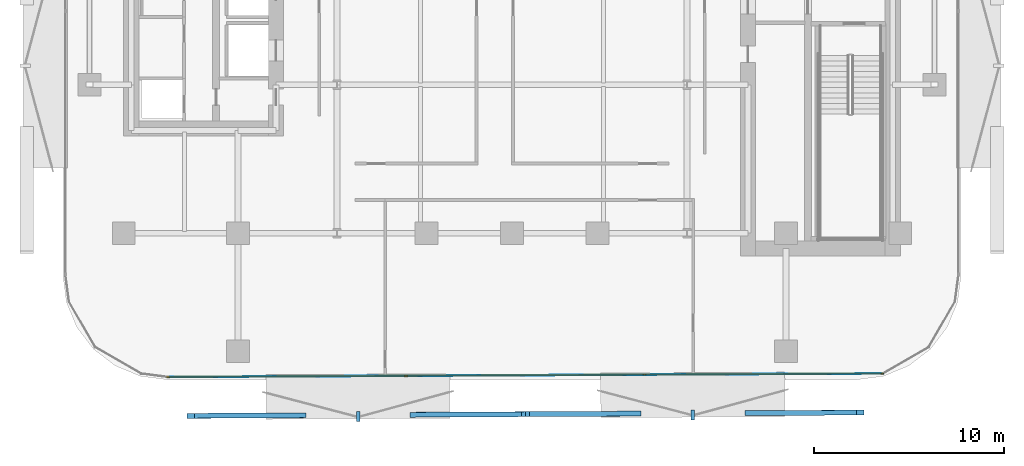
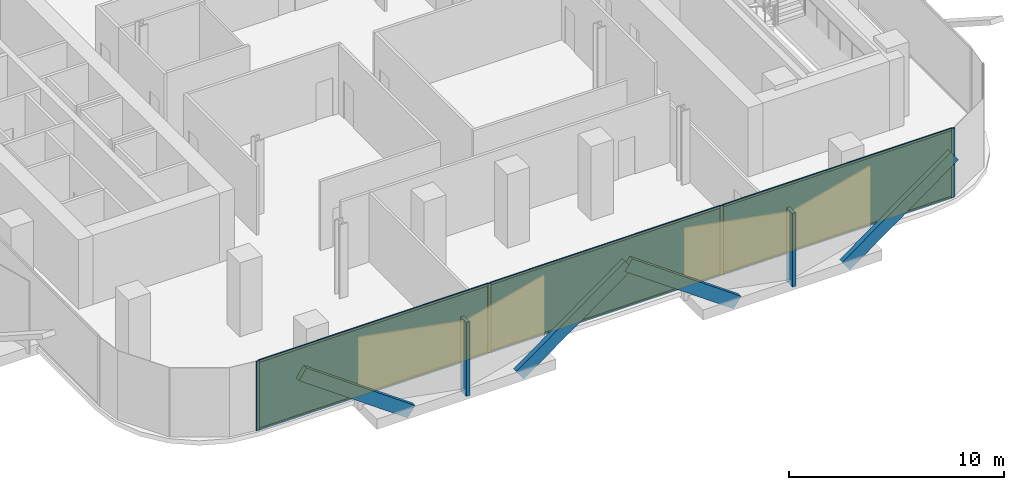
# One storey, part 7 of 15: 16 members, 3 plates, 1 curtain wall.
"""IFC4 building model written with IfcOpenShell, lengths in metres."""

from ifc_helpers import new_model, si_unit, direction, frame, frame_2d, origin, origin_2d, place, context, subcontext, project, spatial, rectangle, extrude, material, layer, layer_set, material_profile, profile_set, type_object, element, aggregate, save


model = new_model("IFC4")

# Units and contexts
model_context = context("Model", 3, precision=1e-05, world=origin(), true_north=direction((0.0, 1.0)))
body_context = subcontext(model_context, "Body", "Model", "MODEL_VIEW")
ifc_project = project(units=[si_unit("LENGTHUNIT", "METRE"), si_unit("AREAUNIT", "SQUARE_METRE"), si_unit("VOLUMEUNIT", "CUBIC_METRE"), si_unit("PLANEANGLEUNIT", "RADIAN"), si_unit("MASSUNIT", "GRAM", prefix="KILO")], contexts=[model_context])

# Member
ifc_material_1 = material(Name="Anodised Bronze Aluminium 6063-T6", Category="aluminium")
ifc_material_profile_1 = material_profile(ifc_material_1, rectangle(XDim=0.260009765625, YDim=0.699951171875, at=origin_2d()))
ifc_profile_set_1 = profile_set([ifc_material_profile_1], Name="Anodised Bronze Aluminium 6063-T6")
member_type_1 = type_object("IfcMemberType", Name="Bronze Diamond Solar-Screen Lattice Rib BDL-700", PredefinedType="MULLION", material=ifc_profile_set_1)
site_placement = place(None, origin())
building_placement = place(site_placement, origin())
storey_placement = place(building_placement, frame((0.0, 0.0, 126.800048828125)))
member_1_placement = place(storey_placement, frame((6.571044921875, -28.079345703125, -0.130126953125), z_axis=(-0.812918815383, -0.003994354371, 0.582363327081), x_axis=(-0.0077593961, 0.99996200398, -0.00397270291)))
member_1 = element("IfcMember", 1, at=member_1_placement, type_object=member_type_1, Name="L29 Bronze Diamond Solar Screen Lattice Rib 177A", PredefinedType="MULLION", context=body_context, shape_type="SweptSolid", body=[
    extrude(rectangle(XDim=0.260009765625, YDim=0.699951171875, at=origin_2d()), origin(), (0.0, 0.0, 1.0), 7.21240234375),
])

member_2_placement = place(storey_placement, frame((12.43408203125, -28.05078125, -0.130126953125), z_axis=(0.812918815383, 0.003994354371, 0.582363327081), x_axis=(0.0077593961, -0.99996200398, -0.00397270291)))
member_2 = element("IfcMember", 2, at=member_2_placement, type_object=member_type_1, Name="L29 Bronze Diamond Solar Screen Lattice Rib 177B", PredefinedType="MULLION", context=body_context, shape_type="SweptSolid", body=[
    extrude(rectangle(XDim=0.260009765625, YDim=0.699951171875, at=origin_2d()), origin(), (0.0, 0.0, 1.0), 7.21240234375),
])

member_3_placement = place(storey_placement, frame((-11.017822265625, -28.165283203125, -0.130126953125), z_axis=(-0.812918815383, -0.003994354371, 0.582363327081), x_axis=(-0.0077593961, 0.99996200398, -0.00397270291)))
member_3 = element("IfcMember", 3, at=member_3_placement, type_object=member_type_1, Name="L29 Bronze Diamond Solar Screen Lattice Rib 178A", PredefinedType="MULLION", context=body_context, shape_type="SweptSolid", body=[
    extrude(rectangle(XDim=0.260009765625, YDim=0.699951171875, at=origin_2d()), origin(), (0.0, 0.0, 1.0), 7.21240234375),
])

member_4_placement = place(storey_placement, frame((-5.15478515625, -28.13671875, -0.130126953125), z_axis=(0.81290744354, 0.003960613429, 0.582379431109), x_axis=(0.007718039596, -0.999962324262, -0.003972646531)))
member_4 = element("IfcMember", 4, at=member_4_placement, type_object=member_type_1, Name="L29 Bronze Diamond Solar Screen Lattice Rib 178B", PredefinedType="MULLION", context=body_context, shape_type="SweptSolid", body=[
    extrude(rectangle(XDim=0.260009765625, YDim=0.699951171875, at=origin_2d()), origin(), (0.0, 0.0, 1.0), 7.212158203125),
])

ifc_material_2 = material(Name="Anodised Bronze Aluminium 6063-T6", Category="aluminium")
ifc_material_profile_2 = material_profile(ifc_material_2, rectangle(XDim=0.179931640625, YDim=0.5400390625, at=origin_2d()))
ifc_profile_set_2 = profile_set([ifc_material_profile_2], Name="Anodised Bronze Aluminium 6063-T6")
member_type_2 = type_object("IfcMemberType", Name="Bronze Solar-Screen Vertical Fold Fin BSF-540", PredefinedType="MULLION", material=ifc_profile_set_2)
member_5_placement = place(storey_placement, frame((9.5029296875, -28.14501953125, -0.130126953125), z_axis=(0.0, 0.0, 1.0), x_axis=(-0.999988059021, -0.004886902454, 0.0)))
member_5 = element("IfcMember", 5, at=member_5_placement, type_object=member_type_2, Name="L29 Bronze Solar Screen Vertical Fin 177", PredefinedType="MULLION", context=body_context, shape_type="SweptSolid", body=[
    extrude(rectangle(XDim=0.179931640625, YDim=0.5400390625, at=origin_2d()), origin(), (0.0, 0.0, 1.0), 4.2001953125),
])

member_6_placement = place(storey_placement, frame((-8.0859375, -28.231201171875, -0.130126953125), z_axis=(0.0, 0.0, 1.0), x_axis=(-0.999988059021, -0.004886902454, 0.0)))
member_6 = element("IfcMember", 6, at=member_6_placement, type_object=member_type_2, Name="L29 Bronze Solar Screen Vertical Fin 178", PredefinedType="MULLION", context=body_context, shape_type="SweptSolid", body=[
    extrude(rectangle(XDim=0.179931640625, YDim=0.5400390625, at=origin_2d()), origin(), (0.0, 0.0, 1.0), 4.2001953125),
])

ifc_material_3 = material(Name="Anodised Bronze Aluminium 6063-T6", Category="aluminium")
ifc_material_profile_3 = material_profile(ifc_material_3, rectangle(XDim=0.06494140625, YDim=0.175048828125, at=origin_2d()))
ifc_profile_set_3 = profile_set([ifc_material_profile_3], Name="Anodised Bronze Aluminium 6063-T6")
member_type_3 = type_object("IfcMemberType", Name="CW-Z2 Mullion 65x175", PredefinedType="MULLION", material=ifc_profile_set_3)
member_7_placement = place(storey_placement, frame((19.45458984375, -25.976318359375, 0.0), z_axis=(0.0, 0.0, 1.0), x_axis=(0.004891127252, -0.999988038366, 0.0)))
member_7 = element("IfcMember", 7, at=member_7_placement, type_object=member_type_3, Name="CW-Z2 mullion 1", PredefinedType="MULLION", context=body_context, shape_type="SweptSolid", body=[
    extrude(rectangle(XDim=0.06494140625, YDim=0.175048828125, at=origin_2d()), origin(), (0.0, 0.0, 1.0), 3.93994140625),
])

member_8_placement = place(storey_placement, frame((6.961181640625, -26.037353515625, 0.0), z_axis=(0.0, 0.0, 1.0), x_axis=(0.004891127252, -0.999988038366, 0.0)))
member_8 = element("IfcMember", 8, at=member_8_placement, type_object=member_type_3, Name="CW-Z2 mullion 2", PredefinedType="MULLION", context=body_context, shape_type="SweptSolid", body=[
    extrude(rectangle(XDim=0.06494140625, YDim=0.175048828125, at=origin_2d()), origin(), (0.0, 0.0, 1.0), 3.93994140625),
])

member_9_placement = place(storey_placement, frame((-5.56494140625, -26.0986328125, 0.0), z_axis=(0.0, 0.0, 1.0), x_axis=(0.004891127252, -0.999988038366, 0.0)))
member_9 = element("IfcMember", 9, at=member_9_placement, type_object=member_type_3, Name="CW-Z2 mullion 3", PredefinedType="MULLION", context=body_context, shape_type="SweptSolid", body=[
    extrude(rectangle(XDim=0.06494140625, YDim=0.175048828125, at=origin_2d()), origin(), (0.0, 0.0, 1.0), 3.93994140625),
])

member_10_placement = place(storey_placement, frame((-18.058349609375, -26.159912109375, 0.0), z_axis=(0.0, 0.0, 1.0), x_axis=(0.004891127252, -0.999988038366, 0.0)))
member_10 = element("IfcMember", 10, at=member_10_placement, type_object=member_type_3, Name="CW-Z2 mullion 4", PredefinedType="MULLION", context=body_context, shape_type="SweptSolid", body=[
    extrude(rectangle(XDim=0.06494140625, YDim=0.175048828125, at=origin_2d()), origin(), (0.0, 0.0, 1.0), 3.93994140625),
])

ifc_material_4 = material(Name="Anodised Bronze Aluminium 6063-T6", Category="aluminium")
ifc_material_profile_4 = material_profile(ifc_material_4, rectangle(XDim=0.06494140625, YDim=0.135009765625, at=origin_2d()))
ifc_profile_set_4 = profile_set([ifc_material_profile_4], Name="Anodised Bronze Aluminium 6063-T6")
member_type_4 = type_object("IfcMemberType", Name="CW-Z2 Transom 65x135", PredefinedType="USERDEFINED", material=ifc_profile_set_4)
member_11_placement = place(storey_placement, frame((19.422119140625, -25.9765625, 0.032470703125), z_axis=(-0.999988037942, -0.00489121381, 0.0), x_axis=(0.00489121381, -0.999988037942, 0.0)))
member_11 = element("IfcMember", 11, at=member_11_placement, type_object=member_type_4, Name="CW-Z2 transom 1.1", ObjectType="TRANSOM", PredefinedType="USERDEFINED", context=body_context, shape_type="SweptSolid", body=[
    extrude(rectangle(XDim=0.06494140625, YDim=0.135009765625, at=origin_2d()), origin(), (0.0, 0.0, 1.0), 12.4287109375),
])

member_12_placement = place(storey_placement, frame((19.422119140625, -25.9765625, 3.907470703125), z_axis=(-0.999988037942, -0.00489121381, 0.0), x_axis=(0.00489121381, -0.999988037942, 0.0)))
member_12 = element("IfcMember", 12, at=member_12_placement, type_object=member_type_4, Name="CW-Z2 transom 1.2", ObjectType="TRANSOM", PredefinedType="USERDEFINED", context=body_context, shape_type="SweptSolid", body=[
    extrude(rectangle(XDim=0.06494140625, YDim=0.135009765625, at=origin_2d()), origin(), (0.0, 0.0, 1.0), 12.4287109375),
])

member_13_placement = place(storey_placement, frame((6.928466796875, -26.03759765625, 0.032470703125), z_axis=(-0.99998800443, -0.004898060367, 0.0), x_axis=(0.004898060367, -0.99998800443, 0.0)))
member_13 = element("IfcMember", 13, at=member_13_placement, type_object=member_type_4, Name="CW-Z2 transom 2.1", ObjectType="TRANSOM", PredefinedType="USERDEFINED", context=body_context, shape_type="SweptSolid", body=[
    extrude(rectangle(XDim=0.06494140625, YDim=0.135009765625, at=origin_2d()), origin(), (0.0, 0.0, 1.0), 12.461181640625),
])

member_14_placement = place(storey_placement, frame((6.928466796875, -26.03759765625, 3.907470703125), z_axis=(-0.99998800443, -0.004898060367, 0.0), x_axis=(0.004898060367, -0.99998800443, 0.0)))
member_14 = element("IfcMember", 14, at=member_14_placement, type_object=member_type_4, Name="CW-Z2 transom 2.2", ObjectType="TRANSOM", PredefinedType="USERDEFINED", context=body_context, shape_type="SweptSolid", body=[
    extrude(rectangle(XDim=0.06494140625, YDim=0.135009765625, at=origin_2d()), origin(), (0.0, 0.0, 1.0), 12.461181640625),
])

member_15_placement = place(storey_placement, frame((-5.597412109375, -26.098876953125, 0.032470703125), z_axis=(-0.999988037942, -0.00489121381, 0.0), x_axis=(0.00489121381, -0.999988037942, 0.0)))
member_15 = element("IfcMember", 15, at=member_15_placement, type_object=member_type_4, Name="CW-Z2 transom 3.1", ObjectType="TRANSOM", PredefinedType="USERDEFINED", context=body_context, shape_type="SweptSolid", body=[
    extrude(rectangle(XDim=0.06494140625, YDim=0.135009765625, at=origin_2d()), origin(), (0.0, 0.0, 1.0), 12.4287109375),
])

member_16_placement = place(storey_placement, frame((-5.597412109375, -26.098876953125, 3.907470703125), z_axis=(-0.999988037942, -0.00489121381, 0.0), x_axis=(0.00489121381, -0.999988037942, 0.0)))
member_16 = element("IfcMember", 16, at=member_16_placement, type_object=member_type_4, Name="CW-Z2 transom 3.2", ObjectType="TRANSOM", PredefinedType="USERDEFINED", context=body_context, shape_type="SweptSolid", body=[
    extrude(rectangle(XDim=0.06494140625, YDim=0.135009765625, at=origin_2d()), origin(), (0.0, 0.0, 1.0), 12.4287109375),
])

# Plate
ifc_material_5 = material(Name="Low-E Solar Control Laminated Glass", Category="glass")
ifc_layer_1 = layer(ifc_material_5, 0.028076171875, Name="Low-E Solar Control Laminated Glass")
ifc_layer_set_1 = layer_set([ifc_layer_1], Name="Low-E Solar Control Laminated Glass")
plate_type = type_object("IfcPlateType", Name="CW-Z2 Low-E Double Glazed Panel 28mm", PredefinedType="CURTAIN_PANEL", material=ifc_layer_set_1)
plate_1_placement = place(storey_placement, frame((13.207763671875, -26.0068359375, 0.06494140625), z_axis=(0.0, 0.0, 1.0), x_axis=(-0.999988038366, -0.004891127252, 0.0)))
plate_1 = element("IfcPlate", 17, at=plate_1_placement, type_object=plate_type, Name="CW-Z2 panel 1.1", PredefinedType="CURTAIN_PANEL", context=body_context, shape_type="SweptSolid", body=[
    extrude(rectangle(XDim=12.428466796875, YDim=0.028076171875, at=origin_2d()), origin(), (0.0, 0.0, 1.0), 3.81005859375),
])

plate_2_placement = place(storey_placement, frame((0.697998046875, -26.068115234375, 0.06494140625), z_axis=(0.0, 0.0, 1.0), x_axis=(-0.999988038366, -0.004891127252, 0.0)))
plate_2 = element("IfcPlate", 18, at=plate_2_placement, type_object=plate_type, Name="CW-Z2 panel 2.1", PredefinedType="CURTAIN_PANEL", context=body_context, shape_type="SweptSolid", body=[
    extrude(rectangle(XDim=12.461181640625, YDim=0.028076171875, at=origin_2d()), origin(), (0.0, 0.0, 1.0), 3.81005859375),
])

plate_3_placement = place(storey_placement, frame((-11.8115234375, -26.12939453125, 0.06494140625), z_axis=(0.0, 0.0, 1.0), x_axis=(-0.999988038366, -0.004891127252, 0.0)))
plate_3 = element("IfcPlate", 19, at=plate_3_placement, type_object=plate_type, Name="CW-Z2 panel 3.1", PredefinedType="CURTAIN_PANEL", context=body_context, shape_type="SweptSolid", body=[
    extrude(rectangle(XDim=12.428466796875, YDim=0.028076171875, at=origin_2d()), origin(), (0.0, 0.0, 1.0), 3.81005859375),
])

# Site, building, storey
site = spatial("IfcSite", under=ifc_project, at=site_placement, CompositionType="ELEMENT")
building = spatial("IfcBuilding", under=site, at=building_placement, Name="Khairoan Windgate Tower", CompositionType="ELEMENT")
storey = spatial("IfcBuildingStorey", under=building, at=storey_placement, Name="L29", CompositionType="ELEMENT", Elevation=126.800048828125)

# Curtain wall
ifc_material_6 = material(Name="Anodised Bronze Aluminium 6063-T6", Category="aluminium")
ifc_layer_2 = layer(ifc_material_6, 0.175048828125, Name="Anodised Bronze Aluminium 6063-T6")
ifc_layer_set_2 = layer_set([ifc_layer_2], Name="Anodised Bronze Aluminium 6063-T6")
curtain_wall_type = type_object("IfcCurtainWallType", Name="Mid-Rise Office Unitised Curtain Wall CW-Z2", PredefinedType="NOTDEFINED", material=ifc_layer_set_2)
curtain_wall_placement = place(storey_placement, frame((19.487060546875, -25.976318359375, 0.0), z_axis=(0.0, 0.0, 1.0), x_axis=(-0.999988065247, -0.004885628318, 0.0)))
curtain_wall = element("IfcCurtainWall", 20, at=curtain_wall_placement, inside=storey, type_object=curtain_wall_type, Name="L29 Unitised Curtain Wall 1", PredefinedType="NOTDEFINED", context=body_context, shape_type="SweptSolid", body=[
    extrude(rectangle(XDim=37.578369140625, YDim=0.010009765625, at=frame_2d((18.7890625, 0.0))), origin(), (0.0, 0.0, 1.0), 3.93994140625),
])

aggregate(curtain_wall, [member_7, member_8, member_9, member_10, member_11, member_12, plate_1, member_13, member_14, plate_2, member_15, member_16, plate_3, member_1, member_2, member_5, member_3, member_4, member_6])

save(model, "model.ifc")
